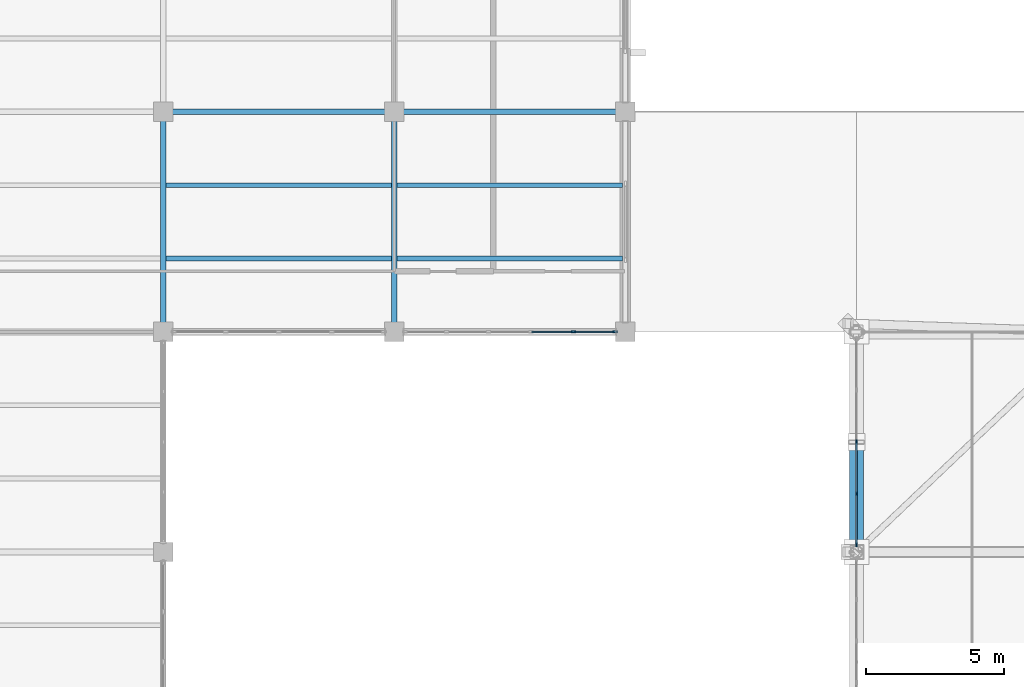
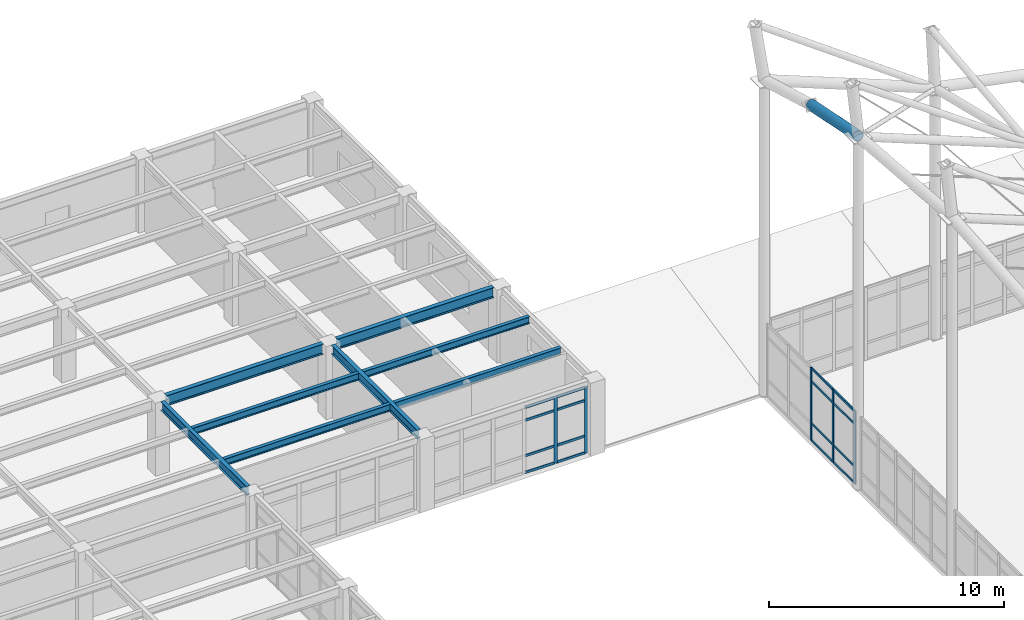
# One storey, part 41 of 138: 21 members, 9 beams, 2 elements without a shape of their own.
"""IFC4 building model written with IfcOpenShell, lengths in metres."""

from ifc_helpers import new_model, si_unit, direction, frame, origin, origin_2d, place, context, subcontext, project, spatial, rectangle, hollow_circle, i_section, extrude, material, layer, layer_set, material_profile, profile_set, type_object, element, aggregate, save


model = new_model("IFC4")

# Units and contexts
model_context = context("Model", 3, precision=1e-05, world=origin(), true_north=direction((0.0, 1.0)))
body_context = subcontext(model_context, "Body", "Model", "MODEL_VIEW")
ifc_project = project(units=[si_unit("LENGTHUNIT", "METRE"), si_unit("AREAUNIT", "SQUARE_METRE"), si_unit("VOLUMEUNIT", "CUBIC_METRE"), si_unit("PLANEANGLEUNIT", "RADIAN"), si_unit("MASSUNIT", "GRAM", prefix="KILO")], contexts=[model_context])

# Site, building, storey
site_placement = place(None, origin())
site = spatial("IfcSite", under=ifc_project, at=site_placement, CompositionType="ELEMENT")
building_placement = place(site_placement, origin())
building = spatial("IfcBuilding", under=site, at=building_placement, Name="Kranzveld Transit Interchange", CompositionType="ELEMENT")
storey_placement = place(building_placement, frame((0.0, 0.0, 5.43994140625)))
storey = spatial("IfcBuildingStorey", under=building, at=storey_placement, Name="L01", CompositionType="ELEMENT", Elevation=5.43994140625)

# Beams
ifc_material_1 = material(Name="Steel S355JR", Category="steel")
ifc_material_profile_1 = material_profile(ifc_material_1, i_section(OverallWidth=0.19189453125, OverallDepth=0.46337890625, WebThickness=0.010498046875, FlangeThickness=0.017578125, FilletRadius=0.01025390625, at=origin_2d()), Name="UB 457x191x89")
ifc_profile_set_1 = profile_set([ifc_material_profile_1], Name="Steel S355JR")
beam_type_1 = type_object("IfcBeamType", Name="Beam Steel UB 457x191x89 S355JR", PredefinedType="BEAM", material=ifc_profile_set_1)
for number, where, z_axis, x_axis, name in (
    (1, (33.60009765625, 88.340087890625, 3.568359375), (0.0, 1.0, 0.0), (-1.0, 0.0, 0.0), "L01 Girder 05/M-N"),
    (2, (42.0, 88.340087890625, 3.568359375), (0.0, 1.0, 0.0), (-1.0, 0.0, 0.0), "L01 Girder 06/M-N"),
):
    element("IfcBeam", number, at=place(storey_placement, frame(where, z_axis=z_axis, x_axis=x_axis)), inside=storey, type_object=beam_type_1, Name=name, PredefinedType="BEAM", context=body_context, shape_type="SweptSolid", body=[
        extrude(i_section(OverallWidth=0.19189453125, OverallDepth=0.46337890625, WebThickness=0.010498046875, FlangeThickness=0.017578125, FilletRadius=0.01025390625, at=origin_2d()), origin(), (0.0, 0.0, 1.0), 7.31982421875),
    ])

# Curtain wall, members
ifc_material_2 = material(Name="Bronze-anodised thermally broken aluminium", Category="aluminium")
ifc_layer_1 = layer(ifc_material_2, 0.159912109375)
ifc_layer_set_1 = layer_set([ifc_layer_1], Name="Bronze-anodised thermally broken aluminium")
curtain_wall_type_1 = type_object("IfcCurtainWallType", Name="Bus Boarding Glazed Screen CW-3", PredefinedType="USERDEFINED", material=ifc_layer_set_1)
curtain_wall_1_placement = place(storey_placement, origin())
curtain_wall_1 = element("IfcCurtainWall", 3, at=curtain_wall_1_placement, inside=storey, type_object=curtain_wall_type_1, Name="L01 Curtain Wall 08/L-08/M", ObjectType="CURTAIN WALL", PredefinedType="USERDEFINED")
ifc_material_3 = material(Name="Bronze-anodised thermally broken aluminium", Category="aluminium")
ifc_material_profile_2 = material_profile(ifc_material_3, rectangle(XDim=0.06005859375, YDim=0.14990234375, at=origin_2d()), Name="ALU MULLION 60x150")
ifc_profile_set_2 = profile_set([ifc_material_profile_2], Name="Bronze-anodised thermally broken aluminium")
member_type_1 = type_object("IfcMemberType", Name="Curtain Wall Mullion 60x150 Alu", PredefinedType="MULLION", material=ifc_profile_set_2)
member_1_placement = place(storey_placement, frame((58.800048828125, 80.258544921875, 0.0), z_axis=(0.0, 0.0, 1.0), x_axis=(-1.0, 0.0, 0.0)))
member_1 = element("IfcMember", 4, at=member_1_placement, type_object=member_type_1, Name="CW-3 mullion 1", PredefinedType="MULLION", context=body_context, shape_type="SweptSolid", body=[
    extrude(rectangle(XDim=0.06005859375, YDim=0.14990234375, at=origin_2d()), origin(), (0.0, 0.0, 1.0), 3.800048828125),
])
member_2_placement = place(storey_placement, frame((58.800048828125, 82.1142578125, 0.0), z_axis=(0.0, 0.0, 1.0), x_axis=(-1.0, 0.0, 0.0)))
member_2 = element("IfcMember", 5, at=member_2_placement, type_object=member_type_1, Name="CW-3 mullion 2", PredefinedType="MULLION", context=body_context, shape_type="SweptSolid", body=[
    extrude(rectangle(XDim=0.06005859375, YDim=0.14990234375, at=origin_2d()), origin(), (0.0, 0.0, 1.0), 3.800048828125),
])
member_3_placement = place(storey_placement, frame((58.800048828125, 84.0, 0.0), z_axis=(0.0, 0.0, 1.0), x_axis=(-1.0, 0.0, 0.0)))
member_3 = element("IfcMember", 6, at=member_3_placement, type_object=member_type_1, Name="CW-3 mullion 3", PredefinedType="MULLION", context=body_context, shape_type="SweptSolid", body=[
    extrude(rectangle(XDim=0.06005859375, YDim=0.14990234375, at=origin_2d()), origin(), (0.0, 0.0, 1.0), 3.800048828125),
])

ifc_material_4 = material(Name="Bronze-anodised thermally broken aluminium", Category="aluminium")
ifc_layer_2 = layer(ifc_material_4, 0.1650390625)
ifc_layer_set_2 = layer_set([ifc_layer_2], Name="Bronze-anodised thermally broken aluminium")
curtain_wall_type_2 = type_object("IfcCurtainWallType", Name="Sunny Court Arcade Curtain Wall CW-2", PredefinedType="USERDEFINED", material=ifc_layer_set_2)
curtain_wall_2_placement = place(storey_placement, origin())
curtain_wall_2 = element("IfcCurtainWall", 7, at=curtain_wall_2_placement, inside=storey, type_object=curtain_wall_type_2, Name="L01 Curtain Wall 06/M-07/M", ObjectType="CURTAIN WALL", PredefinedType="USERDEFINED")
ifc_material_5 = material(Name="Bronze-anodised thermally broken aluminium", Category="aluminium")
ifc_material_profile_3 = material_profile(ifc_material_5, rectangle(XDim=0.06494140625, YDim=0.1650390625, at=origin_2d()), Name="ALU MULLION 65x165")
ifc_profile_set_3 = profile_set([ifc_material_profile_3], Name="Bronze-anodised thermally broken aluminium")
member_type_2 = type_object("IfcMemberType", Name="Curtain Wall Mullion 65x165 Alu", PredefinedType="MULLION", material=ifc_profile_set_3)
member_4_placement = place(storey_placement, frame((48.510009765625, 88.0, 0.0), z_axis=(0.0, 0.0, 1.0), x_axis=(0.0, 1.0, 0.0)))
member_4 = element("IfcMember", 8, at=member_4_placement, type_object=member_type_2, Name="CW-2 mullion 5", PredefinedType="MULLION", context=body_context, shape_type="SweptSolid", body=[
    extrude(rectangle(XDim=0.06494140625, YDim=0.1650390625, at=origin_2d()), origin(), (0.0, 0.0, 1.0), 3.449951171875),
])
member_5_placement = place(storey_placement, frame((50.017578125, 88.0, 0.0), z_axis=(0.0, 0.0, 1.0), x_axis=(0.0, 1.0, 0.0)))
member_5 = element("IfcMember", 9, at=member_5_placement, type_object=member_type_2, Name="CW-2 mullion 6", PredefinedType="MULLION", context=body_context, shape_type="SweptSolid", body=[
    extrude(rectangle(XDim=0.06494140625, YDim=0.1650390625, at=origin_2d()), origin(), (0.0, 0.0, 1.0), 3.449951171875),
])

# Member
ifc_material_6 = material(Name="Bronze-anodised thermally broken aluminium", Category="aluminium")
ifc_material_profile_4 = material_profile(ifc_material_6, rectangle(XDim=0.06005859375, YDim=0.110107421875, at=origin_2d()), Name="ALU TRANSOM 60x110")
ifc_profile_set_4 = profile_set([ifc_material_profile_4], Name="Bronze-anodised thermally broken aluminium")
member_type_3 = type_object("IfcMemberType", Name="Curtain Wall Transom 60x110 Alu", PredefinedType="USERDEFINED", material=ifc_profile_set_4)
member_6_placement = place(storey_placement, frame((58.800048828125, 80.28857421875, 0.030029296875), z_axis=(0.0, 1.0, 0.0), x_axis=(-1.0, 0.0, 0.0)))
member_6 = element("IfcMember", 10, at=member_6_placement, type_object=member_type_3, Name="CW-3 transom 1.1", ObjectType="TRANSOM", PredefinedType="USERDEFINED", context=body_context, shape_type="SweptSolid", body=[
    extrude(rectangle(XDim=0.06005859375, YDim=0.110107421875, at=origin_2d()), origin(), (0.0, 0.0, 1.0), 1.795654296875),
])

member_7_placement = place(storey_placement, frame((58.800048828125, 80.28857421875, 0.900146484375), z_axis=(0.0, 1.0, 0.0), x_axis=(-1.0, 0.0, 0.0)))
member_7 = element("IfcMember", 11, at=member_7_placement, type_object=member_type_3, Name="CW-3 transom 1.2", ObjectType="TRANSOM", PredefinedType="USERDEFINED", context=body_context, shape_type="SweptSolid", body=[
    extrude(rectangle(XDim=0.06005859375, YDim=0.110107421875, at=origin_2d()), origin(), (0.0, 0.0, 1.0), 1.795654296875),
])

member_8_placement = place(storey_placement, frame((58.800048828125, 80.28857421875, 3.10009765625), z_axis=(0.0, 1.0, 0.0), x_axis=(-1.0, 0.0, 0.0)))
member_8 = element("IfcMember", 12, at=member_8_placement, type_object=member_type_3, Name="CW-3 transom 1.3", ObjectType="TRANSOM", PredefinedType="USERDEFINED", context=body_context, shape_type="SweptSolid", body=[
    extrude(rectangle(XDim=0.06005859375, YDim=0.110107421875, at=origin_2d()), origin(), (0.0, 0.0, 1.0), 1.795654296875),
])

member_9_placement = place(storey_placement, frame((58.800048828125, 80.28857421875, 3.77001953125), z_axis=(0.0, 1.0, 0.0), x_axis=(-1.0, 0.0, 0.0)))
member_9 = element("IfcMember", 13, at=member_9_placement, type_object=member_type_3, Name="CW-3 transom 1.4", ObjectType="TRANSOM", PredefinedType="USERDEFINED", context=body_context, shape_type="SweptSolid", body=[
    extrude(rectangle(XDim=0.06005859375, YDim=0.110107421875, at=origin_2d()), origin(), (0.0, 0.0, 1.0), 1.795654296875),
])

member_10_placement = place(storey_placement, frame((58.800048828125, 82.144287109375, 0.030029296875), z_axis=(0.0, 1.0, 0.0), x_axis=(-1.0, 0.0, 0.0)))
member_10 = element("IfcMember", 14, at=member_10_placement, type_object=member_type_3, Name="CW-3 transom 2.1", ObjectType="TRANSOM", PredefinedType="USERDEFINED", context=body_context, shape_type="SweptSolid", body=[
    extrude(rectangle(XDim=0.06005859375, YDim=0.110107421875, at=origin_2d()), origin(), (0.0, 0.0, 1.0), 1.82568359375),
])

member_11_placement = place(storey_placement, frame((58.800048828125, 82.144287109375, 0.900146484375), z_axis=(0.0, 1.0, 0.0), x_axis=(-1.0, 0.0, 0.0)))
member_11 = element("IfcMember", 15, at=member_11_placement, type_object=member_type_3, Name="CW-3 transom 2.2", ObjectType="TRANSOM", PredefinedType="USERDEFINED", context=body_context, shape_type="SweptSolid", body=[
    extrude(rectangle(XDim=0.06005859375, YDim=0.110107421875, at=origin_2d()), origin(), (0.0, 0.0, 1.0), 1.82568359375),
])

member_12_placement = place(storey_placement, frame((58.800048828125, 82.144287109375, 3.10009765625), z_axis=(0.0, 1.0, 0.0), x_axis=(-1.0, 0.0, 0.0)))
member_12 = element("IfcMember", 16, at=member_12_placement, type_object=member_type_3, Name="CW-3 transom 2.3", ObjectType="TRANSOM", PredefinedType="USERDEFINED", context=body_context, shape_type="SweptSolid", body=[
    extrude(rectangle(XDim=0.06005859375, YDim=0.110107421875, at=origin_2d()), origin(), (0.0, 0.0, 1.0), 1.82568359375),
])

member_13_placement = place(storey_placement, frame((58.800048828125, 82.144287109375, 3.77001953125), z_axis=(0.0, 1.0, 0.0), x_axis=(-1.0, 0.0, 0.0)))
member_13 = element("IfcMember", 17, at=member_13_placement, type_object=member_type_3, Name="CW-3 transom 2.4", ObjectType="TRANSOM", PredefinedType="USERDEFINED", context=body_context, shape_type="SweptSolid", body=[
    extrude(rectangle(XDim=0.06005859375, YDim=0.110107421875, at=origin_2d()), origin(), (0.0, 0.0, 1.0), 1.82568359375),
])

aggregate(curtain_wall_1, [member_1, member_2, member_3, member_6, member_7, member_8, member_9, member_10, member_11, member_12, member_13])

ifc_material_7 = material(Name="Bronze-anodised thermally broken aluminium", Category="aluminium")
ifc_material_profile_5 = material_profile(ifc_material_7, rectangle(XDim=0.06005859375, YDim=0.125, at=origin_2d()), Name="ALU TRANSOM 60x125")
ifc_profile_set_5 = profile_set([ifc_material_profile_5], Name="Bronze-anodised thermally broken aluminium")
member_type_4 = type_object("IfcMemberType", Name="Curtain Wall Transom 60x125 Alu", PredefinedType="USERDEFINED", material=ifc_profile_set_5)
member_14_placement = place(storey_placement, frame((47.00244140625, 88.0, 0.030029296875), z_axis=(1.0, 0.0, 0.0), x_axis=(0.0, 1.0, 0.0)))
member_14 = element("IfcMember", 18, at=member_14_placement, type_object=member_type_4, Name="CW-2 transom 4.1", ObjectType="TRANSOM", PredefinedType="USERDEFINED", context=body_context, shape_type="SweptSolid", body=[
    extrude(rectangle(XDim=0.06005859375, YDim=0.125, at=origin_2d()), origin(), (0.0, 0.0, 1.0), 1.47509765625),
])

member_15_placement = place(storey_placement, frame((47.00244140625, 88.0, 0.900146484375), z_axis=(1.0, 0.0, 0.0), x_axis=(0.0, 1.0, 0.0)))
member_15 = element("IfcMember", 19, at=member_15_placement, type_object=member_type_4, Name="CW-2 transom 4.2", ObjectType="TRANSOM", PredefinedType="USERDEFINED", context=body_context, shape_type="SweptSolid", body=[
    extrude(rectangle(XDim=0.06005859375, YDim=0.125, at=origin_2d()), origin(), (0.0, 0.0, 1.0), 1.47509765625),
])

member_16_placement = place(storey_placement, frame((47.00244140625, 88.0, 2.75), z_axis=(1.0, 0.0, 0.0), x_axis=(0.0, 1.0, 0.0)))
member_16 = element("IfcMember", 20, at=member_16_placement, type_object=member_type_4, Name="CW-2 transom 4.3", ObjectType="TRANSOM", PredefinedType="USERDEFINED", context=body_context, shape_type="SweptSolid", body=[
    extrude(rectangle(XDim=0.06005859375, YDim=0.125, at=origin_2d()), origin(), (0.0, 0.0, 1.0), 1.47509765625),
])

member_17_placement = place(storey_placement, frame((47.00244140625, 88.0, 3.420166015625), z_axis=(1.0, 0.0, 0.0), x_axis=(0.0, 1.0, 0.0)))
member_17 = element("IfcMember", 21, at=member_17_placement, type_object=member_type_4, Name="CW-2 transom 4.4", ObjectType="TRANSOM", PredefinedType="USERDEFINED", context=body_context, shape_type="SweptSolid", body=[
    extrude(rectangle(XDim=0.06005859375, YDim=0.125, at=origin_2d()), origin(), (0.0, 0.0, 1.0), 1.47509765625),
])

member_18_placement = place(storey_placement, frame((48.54248046875, 88.0, 0.030029296875), z_axis=(1.0, 0.0, 0.0), x_axis=(0.0, 1.0, 0.0)))
member_18 = element("IfcMember", 22, at=member_18_placement, type_object=member_type_4, Name="CW-2 transom 5.1", ObjectType="TRANSOM", PredefinedType="USERDEFINED", context=body_context, shape_type="SweptSolid", body=[
    extrude(rectangle(XDim=0.06005859375, YDim=0.125, at=origin_2d()), origin(), (0.0, 0.0, 1.0), 1.442626953125),
])

member_19_placement = place(storey_placement, frame((48.54248046875, 88.0, 0.900146484375), z_axis=(1.0, 0.0, 0.0), x_axis=(0.0, 1.0, 0.0)))
member_19 = element("IfcMember", 23, at=member_19_placement, type_object=member_type_4, Name="CW-2 transom 5.2", ObjectType="TRANSOM", PredefinedType="USERDEFINED", context=body_context, shape_type="SweptSolid", body=[
    extrude(rectangle(XDim=0.06005859375, YDim=0.125, at=origin_2d()), origin(), (0.0, 0.0, 1.0), 1.442626953125),
])

member_20_placement = place(storey_placement, frame((48.54248046875, 88.0, 2.75), z_axis=(1.0, 0.0, 0.0), x_axis=(0.0, 1.0, 0.0)))
member_20 = element("IfcMember", 24, at=member_20_placement, type_object=member_type_4, Name="CW-2 transom 5.3", ObjectType="TRANSOM", PredefinedType="USERDEFINED", context=body_context, shape_type="SweptSolid", body=[
    extrude(rectangle(XDim=0.06005859375, YDim=0.125, at=origin_2d()), origin(), (0.0, 0.0, 1.0), 1.442626953125),
])

member_21_placement = place(storey_placement, frame((48.54248046875, 88.0, 3.420166015625), z_axis=(1.0, 0.0, 0.0), x_axis=(0.0, 1.0, 0.0)))
member_21 = element("IfcMember", 25, at=member_21_placement, type_object=member_type_4, Name="CW-2 transom 5.4", ObjectType="TRANSOM", PredefinedType="USERDEFINED", context=body_context, shape_type="SweptSolid", body=[
    extrude(rectangle(XDim=0.06005859375, YDim=0.125, at=origin_2d()), origin(), (0.0, 0.0, 1.0), 1.442626953125),
])

aggregate(curtain_wall_2, [member_4, member_5, member_14, member_15, member_16, member_17, member_18, member_19, member_20, member_21])

# Beams
ifc_material_8 = material(Name="Steel S355JR", Category="steel")
ifc_material_profile_6 = material_profile(ifc_material_8, i_section(OverallWidth=0.172119140625, OverallDepth=0.35791015625, WebThickness=0.008056640625, FlangeThickness=0.012939453125, FilletRadius=0.01025390625, at=origin_2d()), Name="UB 356x171x57")
ifc_profile_set_6 = profile_set([ifc_material_profile_6], Name="Steel S355JR")
beam_type_2 = type_object("IfcBeamType", Name="Floor Joist UB 356x171x57 S355JR", PredefinedType="JOIST", material=ifc_profile_set_6)
for number, where, z_axis, x_axis, name in (
    (26, (33.697998046875, 90.666748046875, 3.62109375), (1.0, 0.0, 0.0), (0.0, 1.0, 0.0), "L01 Secondary Joist 05-06/M.1"),
    (27, (33.697998046875, 93.333251953125, 3.62109375), (1.0, 0.0, 0.0), (0.0, 1.0, 0.0), "L01 Secondary Joist 05-06/M.2"),
):
    element("IfcBeam", number, at=place(storey_placement, frame(where, z_axis=z_axis, x_axis=x_axis)), inside=storey, type_object=beam_type_2, Name=name, PredefinedType="JOIST", context=body_context, shape_type="SweptSolid", body=[
        extrude(i_section(OverallWidth=0.172119140625, OverallDepth=0.35791015625, WebThickness=0.008056640625, FlangeThickness=0.012939453125, FilletRadius=0.01025390625, at=origin_2d()), origin(), (0.0, 0.0, 1.0), 8.2041015625),
    ])
for number, where, z_axis, x_axis, name in (
    (28, (42.097900390625, 90.666748046875, 3.62109375), (1.0, 0.0, 0.0), (0.0, 1.0, 0.0), "L01 Secondary Joist 06-07/M.1"),
    (29, (42.097900390625, 93.333251953125, 3.62109375), (1.0, 0.0, 0.0), (0.0, 1.0, 0.0), "L01 Secondary Joist 06-07/M.2"),
):
    element("IfcBeam", number, at=place(storey_placement, frame(where, z_axis=z_axis, x_axis=x_axis)), inside=storey, type_object=beam_type_2, Name=name, PredefinedType="JOIST", context=body_context, shape_type="SweptSolid", body=[
        extrude(i_section(OverallWidth=0.172119140625, OverallDepth=0.35791015625, WebThickness=0.008056640625, FlangeThickness=0.012939453125, FilletRadius=0.01025390625, at=origin_2d()), origin(), (0.0, 0.0, 1.0), 8.2001953125),
    ])
ifc_material_9 = material(Name="Steel S355JR", Category="steel")
ifc_material_profile_7 = material_profile(ifc_material_9, i_section(OverallWidth=0.210693359375, OverallDepth=0.53955078125, WebThickness=0.01171875, FlangeThickness=0.018798828125, FilletRadius=0.0126953125, at=origin_2d()), Name="UB 533x210x109")
ifc_profile_set_7 = profile_set([ifc_material_profile_7], Name="Steel S355JR")
beam_type_3 = type_object("IfcBeamType", Name="Girder Steel UB 533x210x109 S355JR", PredefinedType="BEAM", material=ifc_profile_set_7)
for number, where, z_axis, x_axis, name in (
    (30, (33.93994140625, 96.0, 3.5302734375), (1.0, 0.0, 0.0), (0.0, 1.0, 0.0), "L01 Girder 05-06/N"),
    (31, (42.340087890625, 96.0, 3.5302734375), (1.0, 0.0, 0.0), (0.0, 1.0, 0.0), "L01 Girder 06-07/N"),
):
    element("IfcBeam", number, at=place(storey_placement, frame(where, z_axis=z_axis, x_axis=x_axis)), inside=storey, type_object=beam_type_3, Name=name, PredefinedType="BEAM", context=body_context, shape_type="SweptSolid", body=[
        extrude(i_section(OverallWidth=0.210693359375, OverallDepth=0.53955078125, WebThickness=0.01171875, FlangeThickness=0.018798828125, FilletRadius=0.0126953125, at=origin_2d()), origin(), (0.0, 0.0, 1.0), 7.719970703125),
    ])
ifc_material_10 = material(Name="Steel S355JR", Category="steel")
ifc_material_profile_8 = material_profile(ifc_material_10, hollow_circle(Radius=0.25390625, WallThickness=0.02001953125, at=origin_2d()), Name="CHS 508x20")
ifc_profile_set_8 = profile_set([ifc_material_profile_8], Name="Steel S355JR")
beam_type_4 = type_object("IfcBeamType", Name="Ring Beam Steel CHS 508x20 S355JR", PredefinedType="BEAM", material=ifc_profile_set_8)
beam_placement = place(storey_placement, frame((58.800048828125, 84.0, 17.447509765625), z_axis=(0.0, -0.979987319582, 0.19905992429), x_axis=(1.0, 0.0, 0.0)))
element("IfcBeam", 32, at=beam_placement, inside=storey, type_object=beam_type_4, Name="Saddle Compression Ring Chord 08Lm-08L", PredefinedType="BEAM", context=body_context, shape_type="SweptSolid", body=[
    extrude(hollow_circle(Radius=0.25390625, WallThickness=0.02001953125, at=origin_2d()), origin(), (0.0, 0.0, 1.0), 4.081787109375),
])

save(model, "model.ifc")
